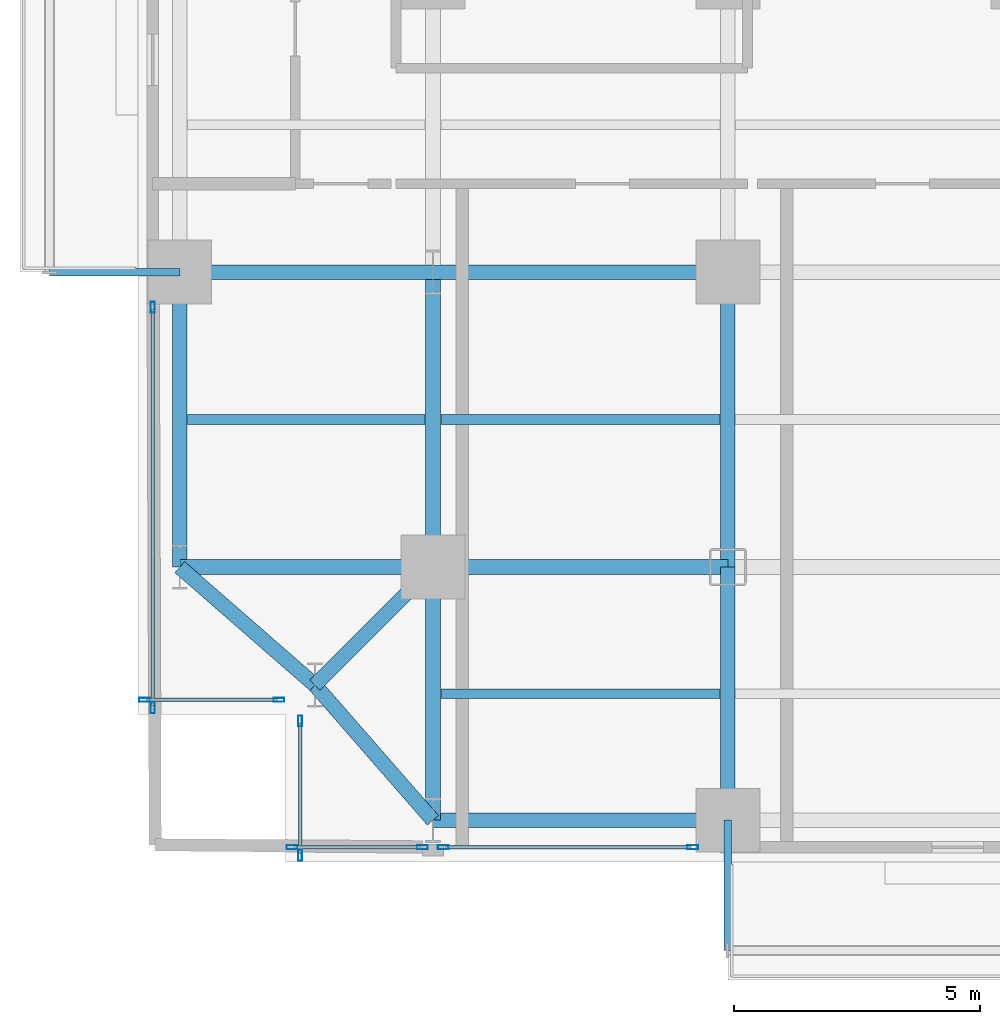
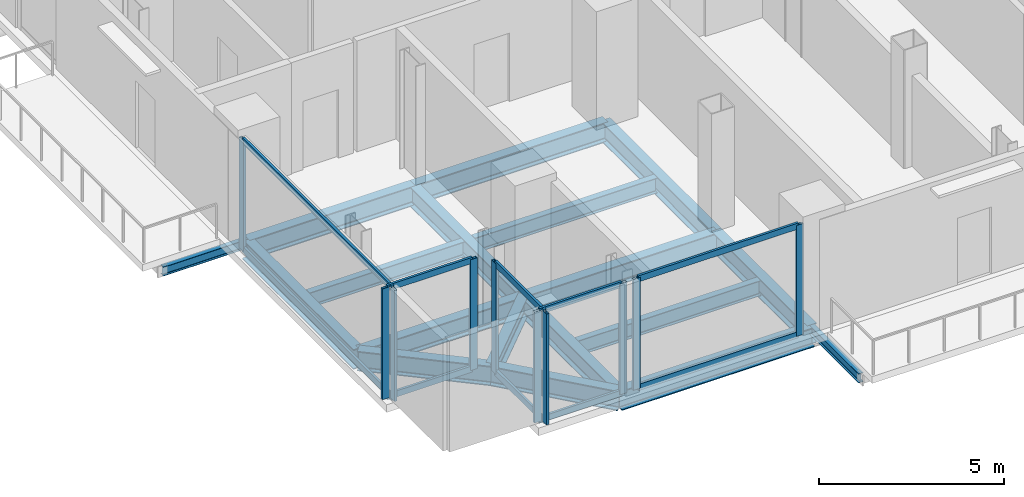
# One storey, part 2 of 25: 20 members, 18 beams, 5 elements without a shape of their own.
"""IFC4 building model written with IfcOpenShell, lengths in metres."""

from ifc_helpers import new_model, si_unit, direction, frame, origin, origin_2d, place, context, subcontext, project, spatial, hollow_rectangle, i_section, extrude, material, layer, layer_set, material_profile, profile_set, type_object, element, aggregate, save


model = new_model("IFC4")

# Units and contexts
model_context = context("Model", 3, precision=1e-05, world=origin(), true_north=direction((0.0, 1.0)))
body_context = subcontext(model_context, "Body", "Model", "MODEL_VIEW")
ifc_project = project(units=[si_unit("LENGTHUNIT", "METRE"), si_unit("AREAUNIT", "SQUARE_METRE"), si_unit("VOLUMEUNIT", "CUBIC_METRE"), si_unit("PLANEANGLEUNIT", "RADIAN"), si_unit("MASSUNIT", "GRAM", prefix="KILO"), si_unit("THERMODYNAMICTEMPERATUREUNIT", "KELVIN"), si_unit("POWERUNIT", "WATT")], contexts=[model_context])

# Site, building, storey
site_placement = place(None, origin())
site = spatial("IfcSite", under=ifc_project, at=site_placement, CompositionType="ELEMENT")
building_placement = place(site_placement, origin())
building = spatial("IfcBuilding", under=site, at=building_placement, Name="Svarakhadi Broadcast Tower", CompositionType="ELEMENT")
storey_placement = place(building_placement, frame((0.0, 0.0, 83.10009765625)))
storey = spatial("IfcBuildingStorey", under=building, at=storey_placement, Name="L19", CompositionType="ELEMENT", Elevation=83.10009765625)

# Beams
ifc_material_1 = material(Name="Steel S355J2 (IS 2062 E350C)", Category="steel")
ifc_material_profile_1 = material_profile(ifc_material_1, i_section(OverallWidth=0.199951171875, OverallDepth=0.5, WebThickness=0.01025390625, FlangeThickness=0.01611328125, FilletRadius=0.02099609375, at=origin_2d()), Name="NPB 500x200x91")
ifc_profile_set_1 = profile_set([ifc_material_profile_1], Name="Steel S355J2 (IS 2062 E350C)")
beam_type_1 = type_object("IfcBeamType", Name="Beam_NPB500", PredefinedType="BEAM", material=ifc_profile_set_1)
beam_1_placement = place(storey_placement, frame((1.010009765625, 9.0, -0.5), z_axis=(1.0, 0.0, 0.0), x_axis=(0.0, 1.0, 0.0)))
element("IfcBeam", 1, at=beam_1_placement, inside=storey, type_object=beam_type_1, Name="L19 Secondary Composite Beam SB001", PredefinedType="BEAM", context=body_context, shape_type="SweptSolid", body=[
    extrude(i_section(OverallWidth=0.199951171875, OverallDepth=0.5, WebThickness=0.01025390625, FlangeThickness=0.01611328125, FilletRadius=0.02099609375, at=origin_2d()), origin(), (0.0, 0.0, 1.0), 4.830078125),
])
for number, where, z_axis, x_axis, name in (
    (2, (6.159912109375, 3.425048828125, -0.5), (1.0, 0.0, 0.0), (0.0, 1.0, 0.0), "L19 Secondary Composite Beam SB007"),
    (3, (6.159912109375, 9.0, -0.5), (1.0, 0.0, 0.0), (0.0, 1.0, 0.0), "L19 Secondary Composite Beam SB008"),
):
    element("IfcBeam", number, at=place(storey_placement, frame(where, z_axis=z_axis, x_axis=x_axis)), inside=storey, type_object=beam_type_1, Name=name, PredefinedType="BEAM", context=body_context, shape_type="SweptSolid", body=[
        extrude(i_section(OverallWidth=0.199951171875, OverallDepth=0.5, WebThickness=0.01025390625, FlangeThickness=0.01611328125, FilletRadius=0.02099609375, at=origin_2d()), origin(), (0.0, 0.0, 1.0), 5.68017578125),
    ])

# Curtain wall, members
ifc_material_2 = material(Name="Anodised Bronze Aluminium AA 6063-T6", Category="aluminium")
ifc_layer = layer(ifc_material_2, 0.219970703125)
ifc_layer_set = layer_set([ifc_layer], Name="Anodised Bronze Aluminium AA 6063-T6")
curtain_wall_type = type_object("IfcCurtainWallType", Name="CW_Sys_02", PredefinedType="NOTDEFINED", material=ifc_layer_set)
curtain_wall_1_placement = place(storey_placement, origin())
curtain_wall_1 = element("IfcCurtainWall", 4, at=curtain_wall_1_placement, inside=storey, type_object=curtain_wall_type, Name="L19 Unitised Facade Curtain Wall 01", PredefinedType="NOTDEFINED")
ifc_material_profile_2 = material_profile(ifc_material_2, hollow_rectangle(XDim=0.0849609375, YDim=0.219970703125, WallThickness=0.006103515625, at=origin_2d()), Name="ALU MULLION 220x85x6")
ifc_profile_set_2 = profile_set([ifc_material_profile_2], Name="Anodised Bronze Aluminium AA 6063-T6")
member_type_1 = type_object("IfcMemberType", Name="CW_Sys_02_Mul", PredefinedType="MULLION", material=ifc_profile_set_2)
member_1_placement = place(storey_placement, frame((2.867431640625, 3.300048828125, 0.0), z_axis=(0.0, 0.0, 1.0), x_axis=(0.0, -1.0, 0.0)))
member_1 = element("IfcMember", 5, at=member_1_placement, type_object=member_type_1, Name="CW-02 mullion 1", PredefinedType="MULLION", context=body_context, shape_type="SweptSolid", body=[
    extrude(hollow_rectangle(XDim=0.0849609375, YDim=0.219970703125, WallThickness=0.006103515625, at=origin_2d()), origin(), (0.0, 0.0, 1.0), 3.64990234375),
])
member_2_placement = place(storey_placement, frame((0.132568359375, 3.300048828125, 0.0), z_axis=(0.0, 0.0, 1.0), x_axis=(0.0, -1.0, 0.0)))
member_2 = element("IfcMember", 6, at=member_2_placement, type_object=member_type_1, Name="CW-02 mullion 2", PredefinedType="MULLION", context=body_context, shape_type="SweptSolid", body=[
    extrude(hollow_rectangle(XDim=0.0849609375, YDim=0.219970703125, WallThickness=0.006103515625, at=origin_2d()), origin(), (0.0, 0.0, 1.0), 3.64990234375),
])

curtain_wall_2_placement = place(storey_placement, origin())
curtain_wall_2 = element("IfcCurtainWall", 7, at=curtain_wall_2_placement, inside=storey, type_object=curtain_wall_type, Name="L19 West Curtain Wall 02", PredefinedType="NOTDEFINED")
member_3_placement = place(storey_placement, frame((0.300048828125, 3.132568359375, 0.0), z_axis=(0.0, 0.0, 1.0), x_axis=(-1.0, 0.0, 0.0)))
member_3 = element("IfcMember", 8, at=member_3_placement, type_object=member_type_1, Name="CW-02 mullion 1", PredefinedType="MULLION", context=body_context, shape_type="SweptSolid", body=[
    extrude(hollow_rectangle(XDim=0.0849609375, YDim=0.219970703125, WallThickness=0.006103515625, at=origin_2d()), origin(), (0.0, 0.0, 1.0), 3.64990234375),
])
member_4_placement = place(storey_placement, frame((0.300048828125, 11.28759765625, 0.0), z_axis=(0.0, 0.0, 1.0), x_axis=(-1.0, 0.0, 0.0)))
member_4 = element("IfcMember", 9, at=member_4_placement, type_object=member_type_1, Name="CW-02 mullion 2", PredefinedType="MULLION", context=body_context, shape_type="SweptSolid", body=[
    extrude(hollow_rectangle(XDim=0.0849609375, YDim=0.219970703125, WallThickness=0.006103515625, at=origin_2d()), origin(), (0.0, 0.0, 1.0), 3.64990234375),
])

curtain_wall_3_placement = place(storey_placement, origin())
curtain_wall_3 = element("IfcCurtainWall", 10, at=curtain_wall_3_placement, inside=storey, type_object=curtain_wall_type, Name="L19 South Curtain Wall 17 Bay 1", PredefinedType="NOTDEFINED")
member_5_placement = place(storey_placement, frame((11.28759765625, 0.300048828125, 0.0), z_axis=(0.0, 0.0, 1.0), x_axis=(0.0, -1.0, 0.0)))
member_5 = element("IfcMember", 11, at=member_5_placement, type_object=member_type_1, Name="CW-02 mullion 1", PredefinedType="MULLION", context=body_context, shape_type="SweptSolid", body=[
    extrude(hollow_rectangle(XDim=0.0849609375, YDim=0.219970703125, WallThickness=0.006103515625, at=origin_2d()), origin(), (0.0, 0.0, 1.0), 3.64990234375),
])
member_6_placement = place(storey_placement, frame((6.21240234375, 0.300048828125, 0.0), z_axis=(0.0, 0.0, 1.0), x_axis=(0.0, -1.0, 0.0)))
member_6 = element("IfcMember", 12, at=member_6_placement, type_object=member_type_1, Name="CW-02 mullion 2", PredefinedType="MULLION", context=body_context, shape_type="SweptSolid", body=[
    extrude(hollow_rectangle(XDim=0.0849609375, YDim=0.219970703125, WallThickness=0.006103515625, at=origin_2d()), origin(), (0.0, 0.0, 1.0), 3.64990234375),
])

curtain_wall_4_placement = place(storey_placement, origin())
curtain_wall_4 = element("IfcCurtainWall", 13, at=curtain_wall_4_placement, inside=storey, type_object=curtain_wall_type, Name="L19 South Curtain Wall 17 Bay 2", PredefinedType="NOTDEFINED")
member_7_placement = place(storey_placement, frame((5.78759765625, 0.300048828125, 0.0), z_axis=(0.0, 0.0, 1.0), x_axis=(0.0, -1.0, 0.0)))
member_7 = element("IfcMember", 14, at=member_7_placement, type_object=member_type_1, Name="CW-02 mullion 1", PredefinedType="MULLION", context=body_context, shape_type="SweptSolid", body=[
    extrude(hollow_rectangle(XDim=0.0849609375, YDim=0.219970703125, WallThickness=0.006103515625, at=origin_2d()), origin(), (0.0, 0.0, 1.0), 3.64990234375),
])
member_8_placement = place(storey_placement, frame((3.132568359375, 0.300048828125, 0.0), z_axis=(0.0, 0.0, 1.0), x_axis=(0.0, -1.0, 0.0)))
member_8 = element("IfcMember", 15, at=member_8_placement, type_object=member_type_1, Name="CW-02 mullion 2", PredefinedType="MULLION", context=body_context, shape_type="SweptSolid", body=[
    extrude(hollow_rectangle(XDim=0.0849609375, YDim=0.219970703125, WallThickness=0.006103515625, at=origin_2d()), origin(), (0.0, 0.0, 1.0), 3.64990234375),
])

curtain_wall_5_placement = place(storey_placement, origin())
curtain_wall_5 = element("IfcCurtainWall", 16, at=curtain_wall_5_placement, inside=storey, type_object=curtain_wall_type, Name="L19 Unitised Facade Curtain Wall 18", PredefinedType="NOTDEFINED")
member_9_placement = place(storey_placement, frame((3.300048828125, 0.132568359375, 0.0), z_axis=(0.0, 0.0, 1.0), x_axis=(-1.0, 0.0, 0.0)))
member_9 = element("IfcMember", 17, at=member_9_placement, type_object=member_type_1, Name="CW-02 mullion 1", PredefinedType="MULLION", context=body_context, shape_type="SweptSolid", body=[
    extrude(hollow_rectangle(XDim=0.0849609375, YDim=0.219970703125, WallThickness=0.006103515625, at=origin_2d()), origin(), (0.0, 0.0, 1.0), 3.64990234375),
])
member_10_placement = place(storey_placement, frame((3.300048828125, 2.867431640625, 0.0), z_axis=(0.0, 0.0, 1.0), x_axis=(-1.0, 0.0, 0.0)))
member_10 = element("IfcMember", 18, at=member_10_placement, type_object=member_type_1, Name="CW-02 mullion 2", PredefinedType="MULLION", context=body_context, shape_type="SweptSolid", body=[
    extrude(hollow_rectangle(XDim=0.0849609375, YDim=0.219970703125, WallThickness=0.006103515625, at=origin_2d()), origin(), (0.0, 0.0, 1.0), 3.64990234375),
])

# Member
ifc_material_profile_3 = material_profile(ifc_material_2, hollow_rectangle(XDim=0.074951171875, YDim=0.199951171875, WallThickness=0.0048828125, at=origin_2d()), Name="ALU TRANSOM 200x75x5")
ifc_profile_set_3 = profile_set([ifc_material_profile_3], Name="Anodised Bronze Aluminium AA 6063-T6")
member_type_2 = type_object("IfcMemberType", Name="CW_Sys_02_Trn", PredefinedType="USERDEFINED", material=ifc_profile_set_3)
member_11_placement = place(storey_placement, frame((2.824951171875, 3.300048828125, 0.037353515625), z_axis=(-1.0, 0.0, 0.0), x_axis=(0.0, -1.0, 0.0)))
member_11 = element("IfcMember", 19, at=member_11_placement, type_object=member_type_2, Name="CW-02 transom 1.1", ObjectType="TRANSOM", PredefinedType="USERDEFINED", context=body_context, shape_type="SweptSolid", body=[
    extrude(hollow_rectangle(XDim=0.074951171875, YDim=0.199951171875, WallThickness=0.0048828125, at=origin_2d()), origin(), (0.0, 0.0, 1.0), 2.64990234375),
])

member_12_placement = place(storey_placement, frame((2.824951171875, 3.300048828125, 3.6123046875), z_axis=(-1.0, 0.0, 0.0), x_axis=(0.0, -1.0, 0.0)))
member_12 = element("IfcMember", 20, at=member_12_placement, type_object=member_type_2, Name="CW-02 transom 1.2", ObjectType="TRANSOM", PredefinedType="USERDEFINED", context=body_context, shape_type="SweptSolid", body=[
    extrude(hollow_rectangle(XDim=0.074951171875, YDim=0.199951171875, WallThickness=0.0048828125, at=origin_2d()), origin(), (0.0, 0.0, 1.0), 2.64990234375),
])

aggregate(curtain_wall_1, [member_1, member_2, member_11, member_12])

member_13_placement = place(storey_placement, frame((0.300048828125, 3.175048828125, 0.037353515625), z_axis=(0.0, 1.0, 0.0), x_axis=(-1.0, 0.0, 0.0)))
member_13 = element("IfcMember", 21, at=member_13_placement, type_object=member_type_2, Name="CW-02 transom 1.1", ObjectType="TRANSOM", PredefinedType="USERDEFINED", context=body_context, shape_type="SweptSolid", body=[
    extrude(hollow_rectangle(XDim=0.074951171875, YDim=0.199951171875, WallThickness=0.0048828125, at=origin_2d()), origin(), (0.0, 0.0, 1.0), 8.070068359375),
])

member_14_placement = place(storey_placement, frame((0.300048828125, 3.175048828125, 3.6123046875), z_axis=(0.0, 1.0, 0.0), x_axis=(-1.0, 0.0, 0.0)))
member_14 = element("IfcMember", 22, at=member_14_placement, type_object=member_type_2, Name="CW-02 transom 1.2", ObjectType="TRANSOM", PredefinedType="USERDEFINED", context=body_context, shape_type="SweptSolid", body=[
    extrude(hollow_rectangle(XDim=0.074951171875, YDim=0.199951171875, WallThickness=0.0048828125, at=origin_2d()), origin(), (0.0, 0.0, 1.0), 8.070068359375),
])

aggregate(curtain_wall_2, [member_3, member_4, member_13, member_14])

member_15_placement = place(storey_placement, frame((11.2451171875, 0.300048828125, 0.037353515625), z_axis=(-1.0, 0.0, 0.0), x_axis=(0.0, -1.0, 0.0)))
member_15 = element("IfcMember", 23, at=member_15_placement, type_object=member_type_2, Name="CW-02 transom 1.1", ObjectType="TRANSOM", PredefinedType="USERDEFINED", context=body_context, shape_type="SweptSolid", body=[
    extrude(hollow_rectangle(XDim=0.074951171875, YDim=0.199951171875, WallThickness=0.0048828125, at=origin_2d()), origin(), (0.0, 0.0, 1.0), 4.990234375),
])

member_16_placement = place(storey_placement, frame((11.2451171875, 0.300048828125, 3.6123046875), z_axis=(-1.0, 0.0, 0.0), x_axis=(0.0, -1.0, 0.0)))
member_16 = element("IfcMember", 24, at=member_16_placement, type_object=member_type_2, Name="CW-02 transom 1.2", ObjectType="TRANSOM", PredefinedType="USERDEFINED", context=body_context, shape_type="SweptSolid", body=[
    extrude(hollow_rectangle(XDim=0.074951171875, YDim=0.199951171875, WallThickness=0.0048828125, at=origin_2d()), origin(), (0.0, 0.0, 1.0), 4.990234375),
])

aggregate(curtain_wall_3, [member_5, member_6, member_15, member_16])

member_17_placement = place(storey_placement, frame((5.7451171875, 0.300048828125, 0.037353515625), z_axis=(-1.0, 0.0, 0.0), x_axis=(0.0, -1.0, 0.0)))
member_17 = element("IfcMember", 25, at=member_17_placement, type_object=member_type_2, Name="CW-02 transom 1.1", ObjectType="TRANSOM", PredefinedType="USERDEFINED", context=body_context, shape_type="SweptSolid", body=[
    extrude(hollow_rectangle(XDim=0.074951171875, YDim=0.199951171875, WallThickness=0.0048828125, at=origin_2d()), origin(), (0.0, 0.0, 1.0), 2.570068359375),
])

member_18_placement = place(storey_placement, frame((5.7451171875, 0.300048828125, 3.6123046875), z_axis=(-1.0, 0.0, 0.0), x_axis=(0.0, -1.0, 0.0)))
member_18 = element("IfcMember", 26, at=member_18_placement, type_object=member_type_2, Name="CW-02 transom 1.2", ObjectType="TRANSOM", PredefinedType="USERDEFINED", context=body_context, shape_type="SweptSolid", body=[
    extrude(hollow_rectangle(XDim=0.074951171875, YDim=0.199951171875, WallThickness=0.0048828125, at=origin_2d()), origin(), (0.0, 0.0, 1.0), 2.570068359375),
])

aggregate(curtain_wall_4, [member_7, member_8, member_17, member_18])

member_19_placement = place(storey_placement, frame((3.300048828125, 0.175048828125, 0.037353515625), z_axis=(0.0, 1.0, 0.0), x_axis=(-1.0, 0.0, 0.0)))
member_19 = element("IfcMember", 27, at=member_19_placement, type_object=member_type_2, Name="CW-02 transom 1.1", ObjectType="TRANSOM", PredefinedType="USERDEFINED", context=body_context, shape_type="SweptSolid", body=[
    extrude(hollow_rectangle(XDim=0.074951171875, YDim=0.199951171875, WallThickness=0.0048828125, at=origin_2d()), origin(), (0.0, 0.0, 1.0), 2.64990234375),
])

member_20_placement = place(storey_placement, frame((3.300048828125, 0.175048828125, 3.6123046875), z_axis=(0.0, 1.0, 0.0), x_axis=(-1.0, 0.0, 0.0)))
member_20 = element("IfcMember", 28, at=member_20_placement, type_object=member_type_2, Name="CW-02 transom 1.2", ObjectType="TRANSOM", PredefinedType="USERDEFINED", context=body_context, shape_type="SweptSolid", body=[
    extrude(hollow_rectangle(XDim=0.074951171875, YDim=0.199951171875, WallThickness=0.0048828125, at=origin_2d()), origin(), (0.0, 0.0, 1.0), 2.64990234375),
])

aggregate(curtain_wall_5, [member_9, member_10, member_19, member_20])

# Beams
ifc_material_profile_4 = material_profile(ifc_material_1, i_section(OverallWidth=0.300048828125, OverallDepth=0.64990234375, WebThickness=0.01611328125, FlangeThickness=0.031005859375, FilletRadius=0.027099609375, at=origin_2d()), Name="WPB 650x300x225")
ifc_profile_set_4 = profile_set([ifc_material_profile_4], Name="Steel S355J2 (IS 2062 E350C)")
beam_type_2 = type_object("IfcBeamType", Name="Girder_WPB650", PredefinedType="USERDEFINED", material=ifc_profile_set_4)
beam_2_placement = place(storey_placement, frame((3.60009765625, 3.60009765625, -0.5751953125), z_axis=(0.707106781187, 0.707106781187, 0.0), x_axis=(-0.707106781187, 0.707106781187, 0.0)))
element("IfcBeam", 29, at=beam_2_placement, inside=storey, type_object=beam_type_2, Name="L19 Corner Tie Girder G001", ObjectType="GIRDER", PredefinedType="USERDEFINED", context=body_context, shape_type="SweptSolid", body=[
    extrude(i_section(OverallWidth=0.300048828125, OverallDepth=0.64990234375, WebThickness=0.01611328125, FlangeThickness=0.031005859375, FilletRadius=0.027099609375, at=origin_2d()), origin(), (0.0, 0.0, 1.0), 3.39404296875),
])
for number, where, z_axis, x_axis, name in (
    (30, (3.60009765625, 3.60009765625, -0.5751953125), (-0.753437912176, 0.657519058655, 0.0), (-0.657519058655, -0.753437912176, 0.0), "L19 Corner Tie Girder G002"),
    (31, (3.60009765625, 3.60009765625, -0.5751953125), (0.657519058655, -0.753437912176, 0.0), (0.753437912176, 0.657519058655, 0.0), "L19 Corner Tie Girder G003"),
):
    element("IfcBeam", number, at=place(storey_placement, frame(where, z_axis=z_axis, x_axis=x_axis)), inside=storey, type_object=beam_type_2, Name=name, ObjectType="GIRDER", PredefinedType="USERDEFINED", context=body_context, shape_type="SweptSolid", body=[
        extrude(i_section(OverallWidth=0.300048828125, OverallDepth=0.64990234375, WebThickness=0.01611328125, FlangeThickness=0.031005859375, FilletRadius=0.027099609375, at=origin_2d()), origin(), (0.0, 0.0, 1.0), 3.64990234375),
    ])
beam_3_placement = place(storey_placement, frame((6.0, 0.85009765625, -0.5751953125), z_axis=(1.0, 0.0, 0.0), x_axis=(0.0, 1.0, 0.0)))
element("IfcBeam", 32, at=beam_3_placement, inside=storey, type_object=beam_type_2, Name="L19 Primary E-W Girder G004", ObjectType="GIRDER", PredefinedType="USERDEFINED", context=body_context, shape_type="SweptSolid", body=[
    extrude(i_section(OverallWidth=0.300048828125, OverallDepth=0.64990234375, WebThickness=0.01611328125, FlangeThickness=0.031005859375, FilletRadius=0.027099609375, at=origin_2d()), origin(), (0.0, 0.0, 1.0), 6.0),
])
beam_4_placement = place(storey_placement, frame((0.85009765625, 6.0, -0.5751953125), z_axis=(1.0, 0.0, 0.0), x_axis=(0.0, 1.0, 0.0)))
element("IfcBeam", 33, at=beam_4_placement, inside=storey, type_object=beam_type_2, Name="L19 Primary E-W Girder G011", ObjectType="GIRDER", PredefinedType="USERDEFINED", context=body_context, shape_type="SweptSolid", body=[
    extrude(i_section(OverallWidth=0.300048828125, OverallDepth=0.64990234375, WebThickness=0.01611328125, FlangeThickness=0.031005859375, FilletRadius=0.027099609375, at=origin_2d()), origin(), (0.0, 0.0, 1.0), 5.14990234375),
])
beam_5_placement = place(storey_placement, frame((6.0, 6.0, -0.5751953125), z_axis=(1.0, 0.0, 0.0), x_axis=(0.0, 1.0, 0.0)))
element("IfcBeam", 34, at=beam_5_placement, inside=storey, type_object=beam_type_2, Name="L19 Primary E-W Girder G012", ObjectType="GIRDER", PredefinedType="USERDEFINED", context=body_context, shape_type="SweptSolid", body=[
    extrude(i_section(OverallWidth=0.300048828125, OverallDepth=0.64990234375, WebThickness=0.01611328125, FlangeThickness=0.031005859375, FilletRadius=0.027099609375, at=origin_2d()), origin(), (0.0, 0.0, 1.0), 6.0),
])
beam_6_placement = place(storey_placement, frame((0.85009765625, 12.0, -0.5751953125), z_axis=(1.0, 0.0, 0.0), x_axis=(0.0, 1.0, 0.0)))
element("IfcBeam", 35, at=beam_6_placement, inside=storey, type_object=beam_type_2, Name="L19 Primary E-W Girder G019", ObjectType="GIRDER", PredefinedType="USERDEFINED", context=body_context, shape_type="SweptSolid", body=[
    extrude(i_section(OverallWidth=0.300048828125, OverallDepth=0.64990234375, WebThickness=0.01611328125, FlangeThickness=0.031005859375, FilletRadius=0.027099609375, at=origin_2d()), origin(), (0.0, 0.0, 1.0), 5.14990234375),
])
for number, where, z_axis, x_axis, name in (
    (36, (6.0, 12.0, -0.5751953125), (1.0, 0.0, 0.0), (0.0, 1.0, 0.0), "L19 Primary E-W Girder G020"),
    (37, (0.85009765625, 6.0, -0.5751953125), (0.0, 1.0, 0.0), (-1.0, 0.0, 0.0), "L19 Primary N-S Girder G045"),
):
    element("IfcBeam", number, at=place(storey_placement, frame(where, z_axis=z_axis, x_axis=x_axis)), inside=storey, type_object=beam_type_2, Name=name, ObjectType="GIRDER", PredefinedType="USERDEFINED", context=body_context, shape_type="SweptSolid", body=[
        extrude(i_section(OverallWidth=0.300048828125, OverallDepth=0.64990234375, WebThickness=0.01611328125, FlangeThickness=0.031005859375, FilletRadius=0.027099609375, at=origin_2d()), origin(), (0.0, 0.0, 1.0), 6.0),
    ])
beam_7_placement = place(storey_placement, frame((6.0, 0.85009765625, -0.5751953125), z_axis=(0.0, 1.0, 0.0), x_axis=(-1.0, 0.0, 0.0)))
element("IfcBeam", 38, at=beam_7_placement, inside=storey, type_object=beam_type_2, Name="L19 Primary N-S Girder G051", ObjectType="GIRDER", PredefinedType="USERDEFINED", context=body_context, shape_type="SweptSolid", body=[
    extrude(i_section(OverallWidth=0.300048828125, OverallDepth=0.64990234375, WebThickness=0.01611328125, FlangeThickness=0.031005859375, FilletRadius=0.027099609375, at=origin_2d()), origin(), (0.0, 0.0, 1.0), 5.14990234375),
])
beam_8_placement = place(storey_placement, frame((6.0, 6.0, -0.5751953125), z_axis=(0.0, 1.0, 0.0), x_axis=(-1.0, 0.0, 0.0)))
element("IfcBeam", 39, at=beam_8_placement, inside=storey, type_object=beam_type_2, Name="L19 Primary N-S Girder G052", ObjectType="GIRDER", PredefinedType="USERDEFINED", context=body_context, shape_type="SweptSolid", body=[
    extrude(i_section(OverallWidth=0.300048828125, OverallDepth=0.64990234375, WebThickness=0.01611328125, FlangeThickness=0.031005859375, FilletRadius=0.027099609375, at=origin_2d()), origin(), (0.0, 0.0, 1.0), 6.0),
])
beam_9_placement = place(storey_placement, frame((12.0, 0.85009765625, -0.5751953125), z_axis=(0.0, 1.0, 0.0), x_axis=(-1.0, 0.0, 0.0)))
element("IfcBeam", 40, at=beam_9_placement, inside=storey, type_object=beam_type_2, Name="L19 Primary N-S Girder G058", ObjectType="GIRDER", PredefinedType="USERDEFINED", context=body_context, shape_type="SweptSolid", body=[
    extrude(i_section(OverallWidth=0.300048828125, OverallDepth=0.64990234375, WebThickness=0.01611328125, FlangeThickness=0.031005859375, FilletRadius=0.027099609375, at=origin_2d()), origin(), (0.0, 0.0, 1.0), 5.14990234375),
])
beam_10_placement = place(storey_placement, frame((12.0, 6.0, -0.5751953125), z_axis=(0.0, 1.0, 0.0), x_axis=(-1.0, 0.0, 0.0)))
element("IfcBeam", 41, at=beam_10_placement, inside=storey, type_object=beam_type_2, Name="L19 Primary N-S Girder G059", ObjectType="GIRDER", PredefinedType="USERDEFINED", context=body_context, shape_type="SweptSolid", body=[
    extrude(i_section(OverallWidth=0.300048828125, OverallDepth=0.64990234375, WebThickness=0.01611328125, FlangeThickness=0.031005859375, FilletRadius=0.027099609375, at=origin_2d()), origin(), (0.0, 0.0, 1.0), 6.0),
])
ifc_material_profile_5 = material_profile(ifc_material_1, i_section(OverallWidth=0.14990234375, OverallDepth=0.300048828125, WebThickness=0.007080078125, FlangeThickness=0.0107421875, FilletRadius=0.014892578125, at=origin_2d()), Name="NPB 300x150x37")
ifc_profile_set_5 = profile_set([ifc_material_profile_5], Name="Steel S355J2 (IS 2062 E350C)")
beam_type_3 = type_object("IfcBeamType", Name="Spandrel_NPB300", PredefinedType="SPANDREL", material=ifc_profile_set_5)
for number, where, z_axis, x_axis, name in (
    (42, (12.0, 0.85009765625, -0.400146484375), (0.0, -1.0, 0.0), (1.0, 0.0, 0.0), "L19 Balcony Cantilever Bracket 1A"),
    (43, (0.85009765625, 12.0, -0.400146484375), (-1.0, 0.0, 0.0), (0.0, -1.0, 0.0), "L19 Balcony Cantilever Bracket 2A"),
):
    element("IfcBeam", number, at=place(storey_placement, frame(where, z_axis=z_axis, x_axis=x_axis)), inside=storey, type_object=beam_type_3, Name=name, PredefinedType="SPANDREL", context=body_context, shape_type="SweptSolid", body=[
        extrude(i_section(OverallWidth=0.14990234375, OverallDepth=0.300048828125, WebThickness=0.007080078125, FlangeThickness=0.0107421875, FilletRadius=0.014892578125, at=origin_2d()), origin(), (0.0, 0.0, 1.0), 2.650146484375),
    ])

save(model, "model.ifc")
